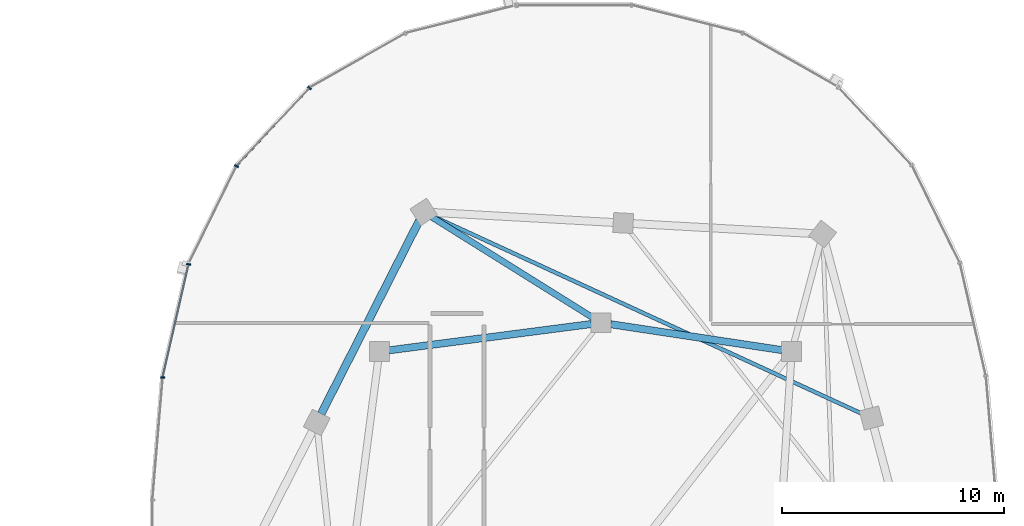
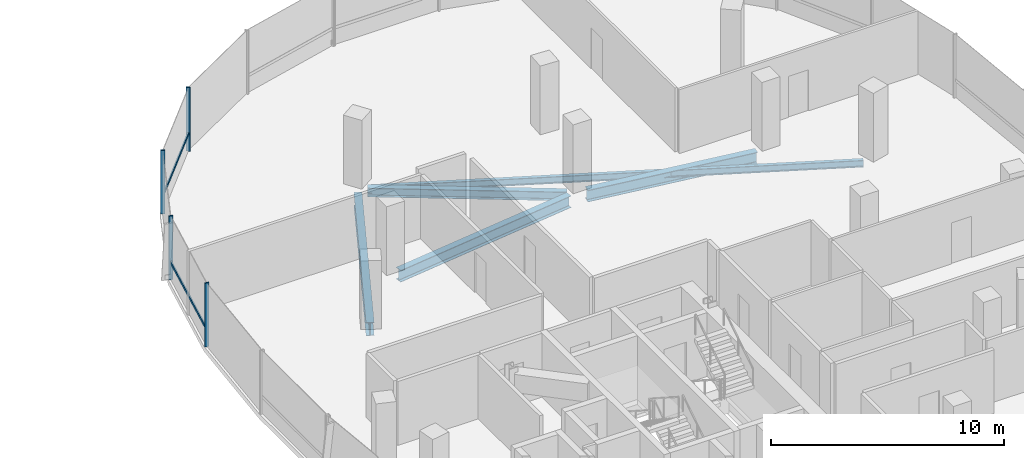
# One storey, part 11 of 25: 6 members, 5 beams, 1 element without a shape of its own.
"""IFC4 building model written with IfcOpenShell, lengths in metres."""

from ifc_helpers import new_model, si_unit, direction, frame, origin, origin_2d, place, context, subcontext, project, spatial, rectangle, i_section, extrude, material, material_profile, profile_set, type_object, element, aggregate, save


model = new_model("IFC4")

# Units and contexts
model_context = context("Model", 3, precision=1e-05, world=origin(), true_north=direction((0.0, 1.0)))
body_context = subcontext(model_context, "Body", "Model", "MODEL_VIEW")
ifc_project = project(units=[si_unit("LENGTHUNIT", "METRE"), si_unit("AREAUNIT", "SQUARE_METRE"), si_unit("VOLUMEUNIT", "CUBIC_METRE"), si_unit("PLANEANGLEUNIT", "RADIAN"), si_unit("MASSUNIT", "GRAM", prefix="KILO"), si_unit("THERMODYNAMICTEMPERATUREUNIT", "KELVIN"), si_unit("POWERUNIT", "WATT")], contexts=[model_context])

# Site, building, storey
site_placement = place(None, origin())
site = spatial("IfcSite", under=ifc_project, at=site_placement, CompositionType="ELEMENT")
building_placement = place(site_placement, origin())
building = spatial("IfcBuilding", under=site, at=building_placement, Name="Cundina Bronze Exchange", CompositionType="ELEMENT")
storey_placement = place(building_placement, frame((0.0, 0.0, 213.39990234375)))
storey = spatial("IfcBuildingStorey", under=building, at=storey_placement, Name="L56", CompositionType="ELEMENT", Elevation=213.39990234375)

# Beams
ifc_material_1 = material(Name="Steel ASTM A992 Grade 50", Category="steel")
ifc_material_profile_1 = material_profile(ifc_material_1, i_section(OverallWidth=0.280029296875, OverallDepth=0.462890625, WebThickness=0.0107421875, FlangeThickness=0.017333984375, FilletRadius=0.011962890625, at=origin_2d()), Name="W18X76", Category="steel")
ifc_profile_set_1 = profile_set([ifc_material_profile_1], Name="Steel ASTM A992 Grade 50")
beam_type_1 = type_object("IfcBeamType", Name="BM-FLR-W18A", PredefinedType="BEAM", material=ifc_profile_set_1)
beam_1_placement = place(storey_placement, frame((32.82861328125, 11.031982421875, -0.491455078125), z_axis=(-0.847995098703, 0.530004068452, 0.0), x_axis=(-0.530004068452, -0.847995098703, 0.0)))
element("IfcBeam", 1, at=beam_1_placement, inside=storey, type_object=beam_type_1, Name="L56 Leg E Chordal Floor Beam 12", PredefinedType="BEAM", context=body_context, shape_type="SweptSolid", body=[
    extrude(i_section(OverallWidth=0.280029296875, OverallDepth=0.462890625, WebThickness=0.0107421875, FlangeThickness=0.017333984375, FilletRadius=0.011962890625, at=origin_2d()), origin(), (0.0, 0.0, 1.0), 8.55810546875),
])
ifc_material_profile_2 = material_profile(ifc_material_1, i_section(OverallWidth=0.172119140625, OverallDepth=0.35791015625, WebThickness=0.0078125, FlangeThickness=0.01318359375, FilletRadius=0.010009765625, at=origin_2d()), Name="W14X38", Category="steel")
ifc_profile_set_2 = profile_set([ifc_material_profile_2], Name="Steel ASTM A992 Grade 50")
beam_type_2 = type_object("IfcBeamType", Name="BM-JST-W14", PredefinedType="JOIST", material=ifc_profile_set_2)
beam_2_placement = place(storey_placement, frame((45.002197265625, 6.68310546875, -0.43896484375), z_axis=(-0.908355026127, 0.418199888224, 0.0), x_axis=(-0.418199888224, -0.908355026127, 0.0)))
element("IfcBeam", 2, at=beam_2_placement, inside=storey, type_object=beam_type_2, Name="L56 Leg E Lobe Floor Joist 09-12", PredefinedType="JOIST", context=body_context, shape_type="SweptSolid", body=[
    extrude(i_section(OverallWidth=0.172119140625, OverallDepth=0.35791015625, WebThickness=0.0078125, FlangeThickness=0.01318359375, FilletRadius=0.010009765625, at=origin_2d()), origin(), (0.0, 0.0, 1.0), 21.362060546875),
])
ifc_material_profile_3 = material_profile(ifc_material_1, i_section(OverallWidth=0.324951171875, OverallDepth=0.615966796875, WebThickness=0.013916015625, FlangeThickness=0.021484375, FilletRadius=0.01611328125, at=origin_2d()), Name="W24X117", Category="steel")
ifc_profile_set_3 = profile_set([ifc_material_profile_3], Name="Steel ASTM A992 Grade 50")
beam_type_3 = type_object("IfcBeamType", Name="BM-RING-W24", PredefinedType="USERDEFINED", material=ifc_profile_set_3)
beam_3_placement = place(storey_placement, frame((41.366943359375, 9.5654296875, -0.56787109375), z_axis=(-0.988764903598, 0.149478979839, 0.0), x_axis=(-0.149478979839, -0.988764903598, 0.0)))
element("IfcBeam", 3, at=beam_3_placement, inside=storey, type_object=beam_type_3, Name="L56 E Inner Structural Ring Girder 05", ObjectType="GIRDER", PredefinedType="USERDEFINED", context=body_context, shape_type="SweptSolid", body=[
    extrude(i_section(OverallWidth=0.324951171875, OverallDepth=0.615966796875, WebThickness=0.013916015625, FlangeThickness=0.021484375, FilletRadius=0.01611328125, at=origin_2d()), origin(), (0.0, 0.0, 1.0), 7.82177734375),
])
beam_4_placement = place(storey_placement, frame((32.765625, 10.743408203125, -0.56787109375), z_axis=(-0.991656498582, -0.128908451316, 0.0), x_axis=(0.128908451316, -0.991656498582, 0.0)))
element("IfcBeam", 4, at=beam_4_placement, inside=storey, type_object=beam_type_3, Name="L56 E Inner Structural Ring Girder 06", ObjectType="GIRDER", PredefinedType="USERDEFINED", context=body_context, shape_type="SweptSolid", body=[
    extrude(i_section(OverallWidth=0.324951171875, OverallDepth=0.615966796875, WebThickness=0.013916015625, FlangeThickness=0.021484375, FilletRadius=0.01611328125, at=origin_2d()), origin(), (0.0, 0.0, 1.0), 9.208251953125),
])
ifc_material_profile_4 = material_profile(ifc_material_1, i_section(OverallWidth=0.35498046875, OverallDepth=0.695068359375, WebThickness=0.015380859375, FlangeThickness=0.02490234375, FilletRadius=0.01806640625, at=origin_2d()), Name="W27X146", Category="steel")
ifc_profile_set_4 = profile_set([ifc_material_profile_4], Name="Steel ASTM A992 Grade 50")
beam_type_4 = type_object("IfcBeamType", Name="BM-RING-W27", PredefinedType="USERDEFINED", material=ifc_profile_set_4)
beam_5_placement = place(storey_placement, frame((25.001708984375, 15.409423828125, -0.607421875), z_axis=(-0.452846871434, -0.891588308039, 0.0), x_axis=(0.891588308039, -0.452846871434, 0.0)))
element("IfcBeam", 5, at=beam_5_placement, inside=storey, type_object=beam_type_4, Name="L56 E Perimeter Ring Girder 12", ObjectType="GIRDER", PredefinedType="USERDEFINED", context=body_context, shape_type="SweptSolid", body=[
    extrude(i_section(OverallWidth=0.35498046875, OverallDepth=0.695068359375, WebThickness=0.015380859375, FlangeThickness=0.02490234375, FilletRadius=0.01806640625, at=origin_2d()), origin(), (0.0, 0.0, 1.0), 9.779052734375),
])

# Curtain wall, members
ifc_material_2 = material(Name="Anodised Bronze Aluminium 6063-T6", Category="aluminium")
curtain_wall_type = type_object("IfcCurtainWallType", Name="CWS-UPP-OFF", PredefinedType="NOTDEFINED", material=ifc_material_2)
curtain_wall_placement = place(storey_placement, origin())
curtain_wall = element("IfcCurtainWall", 6, at=curtain_wall_placement, inside=storey, type_object=curtain_wall_type, Name="L56 CW-05 Curtain Wall Run CWR-L56-E2", PredefinedType="NOTDEFINED")
ifc_material_profile_5 = material_profile(ifc_material_2, rectangle(XDim=0.070068359375, YDim=0.18994140625, at=origin_2d()), Name="AL70X190", Category="aluminium")
ifc_profile_set_5 = profile_set([ifc_material_profile_5], Name="Anodised Bronze Aluminium 6063-T6")
member_type_1 = type_object("IfcMemberType", Name="CWM-MUL-190", PredefinedType="MULLION", material=ifc_profile_set_5)
member_1_placement = place(storey_placement, frame((20.05126953125, 21.392578125, 0.0), z_axis=(0.0, 0.0, 1.0), x_axis=(-0.684292606175, -0.729207535023, 0.0)))
member_1 = element("IfcMember", 7, at=member_1_placement, type_object=member_type_1, Name="CW-05 Mullion 3", PredefinedType="MULLION", context=body_context, shape_type="SweptSolid", body=[
    extrude(rectangle(XDim=0.070068359375, YDim=0.18994140625, at=origin_2d()), origin(), (0.0, 0.0, 1.0), 3.340087890625),
])
member_2_placement = place(storey_placement, frame((16.754638671875, 17.866455078125, 0.0), z_axis=(0.0, 0.0, 1.0), x_axis=(-0.440566004113, -0.897720221461, 0.0)))
member_2 = element("IfcMember", 8, at=member_2_placement, type_object=member_type_1, Name="CW-05 Mullion 4", PredefinedType="MULLION", context=body_context, shape_type="SweptSolid", body=[
    extrude(rectangle(XDim=0.070068359375, YDim=0.18994140625, at=origin_2d()), origin(), (0.0, 0.0, 1.0), 3.340087890625),
])
member_3_placement = place(storey_placement, frame((14.59228515625, 13.440673828125, 0.0), z_axis=(0.0, 0.0, 1.0), x_axis=(-0.223250116011, -0.974761194191, 0.0)))
member_3 = element("IfcMember", 9, at=member_3_placement, type_object=member_type_1, Name="CW-05 Mullion 5", PredefinedType="MULLION", context=body_context, shape_type="SweptSolid", body=[
    extrude(rectangle(XDim=0.070068359375, YDim=0.18994140625, at=origin_2d()), origin(), (0.0, 0.0, 1.0), 3.340087890625),
])
member_4_placement = place(storey_placement, frame((13.427490234375, 8.33056640625, 0.0), z_axis=(0.0, 0.0, 1.0), x_axis=(-0.083677843332, -0.99649285925, 0.0)))
member_4 = element("IfcMember", 10, at=member_4_placement, type_object=member_type_1, Name="CW-05 Mullion 6", PredefinedType="MULLION", context=body_context, shape_type="SweptSolid", body=[
    extrude(rectangle(XDim=0.070068359375, YDim=0.18994140625, at=origin_2d()), origin(), (0.0, 0.0, 1.0), 3.340087890625),
])
ifc_material_profile_6 = material_profile(ifc_material_2, rectangle(XDim=0.06494140625, YDim=0.14990234375, at=origin_2d()), Name="AL65X150", Category="aluminium")
ifc_profile_set_6 = profile_set([ifc_material_profile_6], Name="Anodised Bronze Aluminium 6063-T6")
member_type_2 = type_object("IfcMemberType", Name="CWM-TRN-150", PredefinedType="USERDEFINED", material=ifc_profile_set_6)
member_5_placement = place(storey_placement, frame((20.02490234375, 21.364501953125, 0.920166015625), z_axis=(-0.684336416554, -0.729166420633, 0.0), x_axis=(0.729166420633, -0.684336416554, 0.0)))
member_5 = element("IfcMember", 11, at=member_5_placement, type_object=member_type_2, Name="CW-05 Spandrel Transom 3", ObjectType="TRANSOM", PredefinedType="USERDEFINED", context=body_context, shape_type="SweptSolid", body=[
    extrude(rectangle(XDim=0.06494140625, YDim=0.14990234375, at=origin_2d()), origin(), (0.0, 0.0, 1.0), 4.76513671875),
])
member_6_placement = place(storey_placement, frame((14.58349609375, 13.403076171875, 0.920166015625), z_axis=(-0.22328343579, -0.974753562344, 0.0), x_axis=(0.974753562344, -0.22328343579, 0.0)))
member_6 = element("IfcMember", 12, at=member_6_placement, type_object=member_type_2, Name="CW-05 Spandrel Transom 5", ObjectType="TRANSOM", PredefinedType="USERDEFINED", context=body_context, shape_type="SweptSolid", body=[
    extrude(rectangle(XDim=0.06494140625, YDim=0.14990234375, at=origin_2d()), origin(), (0.0, 0.0, 1.0), 5.159912109375),
])
aggregate(curtain_wall, [member_1, member_5, member_2, member_3, member_6, member_4])

save(model, "model.ifc")
